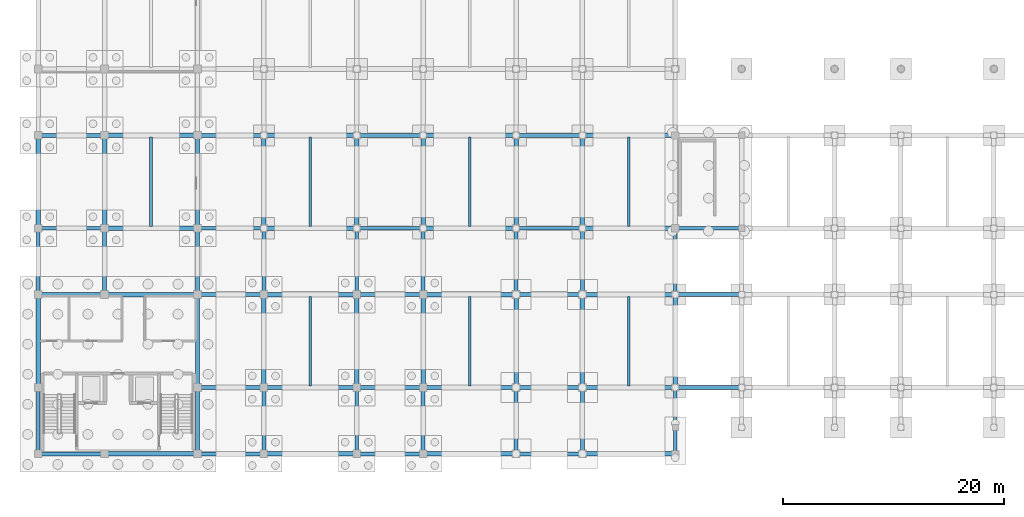
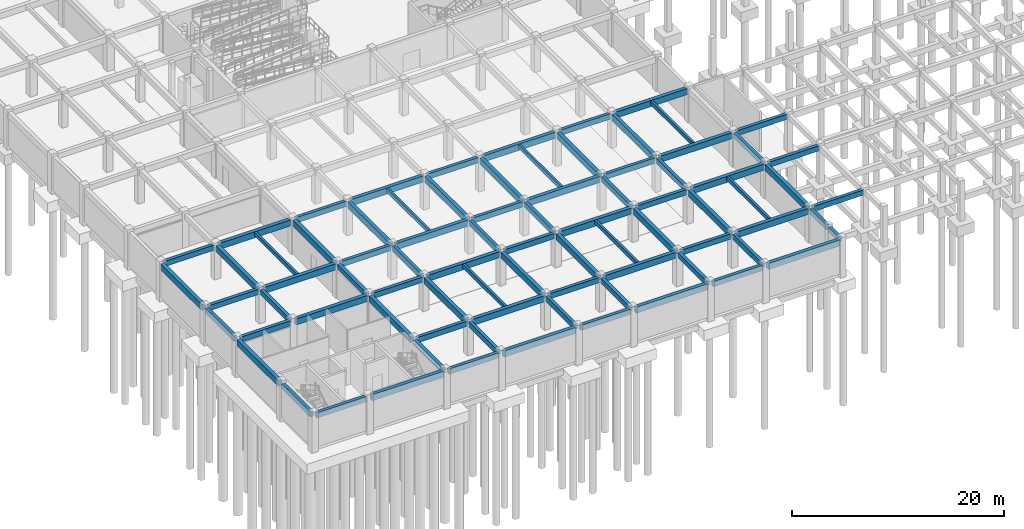
# One storey, part 17 of 40: 82 beams.
"""IFC4 building model written with IfcOpenShell, lengths in metres."""

from ifc_helpers import new_model, si_unit, direction, frame, origin, origin_2d, place, context, subcontext, project, spatial, rectangle, extrude, material, material_profile, profile_set, type_object, element, save


model = new_model("IFC4")

# Units and contexts
model_context = context("Model", 3, precision=1e-05, world=origin(), true_north=direction((0.0, 1.0)))
body_context = subcontext(model_context, "Body", "Model", "MODEL_VIEW")
ifc_project = project(units=[si_unit("LENGTHUNIT", "METRE"), si_unit("AREAUNIT", "SQUARE_METRE"), si_unit("VOLUMEUNIT", "CUBIC_METRE"), si_unit("PLANEANGLEUNIT", "RADIAN"), si_unit("MASSUNIT", "GRAM", prefix="KILO"), si_unit("THERMODYNAMICTEMPERATUREUNIT", "KELVIN")], contexts=[model_context])

# Site, building, storey
site_placement = place(None, origin())
site = spatial("IfcSite", under=ifc_project, at=site_placement, CompositionType="ELEMENT")
building_placement = place(site_placement, origin())
building = spatial("IfcBuilding", under=site, at=building_placement, Name="Thalorik Housing Commons", CompositionType="ELEMENT")
storey_placement = place(building_placement, frame((0.0, 0.0, -4.199951171875)))
storey = spatial("IfcBuildingStorey", under=building, at=storey_placement, Name="B1", CompositionType="ELEMENT", Elevation=-4.199951171875)

# Beams
ifc_material = material(Name="Precast concrete C40/50", Category="concrete")
ifc_material_profile_1 = material_profile(ifc_material, rectangle(XDim=0.35009765625, YDim=0.60009765625, at=origin_2d()), Name="PC 350x600", Category="concrete")
ifc_profile_set_1 = profile_set([ifc_material_profile_1], Name="Precast concrete C40/50")
beam_type_1 = type_object("IfcBeamType", Name="STR-BM-PC350x600", PredefinedType="BEAM", material=ifc_profile_set_1)
beam_1_placement = place(storey_placement, frame((8.699951171875, 8.39990234375, 3.599853515625), z_axis=(1.0, 0.0, 0.0), x_axis=(0.0, 1.0, 0.0)))
element("IfcBeam", 1, at=beam_1_placement, inside=storey, type_object=beam_type_1, Name="B1 Beam B-600", PredefinedType="BEAM", context=body_context, shape_type="SweptSolid", body=[
    extrude(rectangle(XDim=0.35009765625, YDim=0.60009765625, at=origin_2d()), origin(), (0.0, 0.0, 1.0), 5.400146484375),
])
for number, where, z_axis, x_axis, name in (
    (2, (23.10009765625, 8.39990234375, 3.599853515625), (1.0, 0.0, 0.0), (0.0, 1.0, 0.0), "B1 Beam B-600"),
    (3, (37.5, 8.39990234375, 3.599853515625), (1.0, 0.0, 0.0), (0.0, 1.0, 0.0), "B1 Beam B-600"),
):
    element("IfcBeam", number, at=place(storey_placement, frame(where, z_axis=z_axis, x_axis=x_axis)), inside=storey, type_object=beam_type_1, Name=name, PredefinedType="BEAM", context=body_context, shape_type="SweptSolid", body=[
        extrude(rectangle(XDim=0.35009765625, YDim=0.60009765625, at=origin_2d()), origin(), (0.0, 0.0, 1.0), 5.39990234375),
    ])
beam_2_placement = place(storey_placement, frame((51.89990234375, 8.39990234375, 3.599853515625), z_axis=(1.0, 0.0, 0.0), x_axis=(0.0, 1.0, 0.0)))
element("IfcBeam", 4, at=beam_2_placement, inside=storey, type_object=beam_type_1, Name="B1 Beam B-600", PredefinedType="BEAM", context=body_context, shape_type="SweptSolid", body=[
    extrude(rectangle(XDim=0.35009765625, YDim=0.60009765625, at=origin_2d()), origin(), (0.0, 0.0, 1.0), 5.400146484375),
])
for number, where, z_axis, x_axis, name in (
    (5, (23.10009765625, 14.39990234375, 3.599853515625), (1.0, 0.0, 0.0), (0.0, 1.0, 0.0), "B1 Beam B-600"),
    (6, (37.5, 14.39990234375, 3.599853515625), (1.0, 0.0, 0.0), (0.0, 1.0, 0.0), "B1 Beam B-600"),
):
    element("IfcBeam", number, at=place(storey_placement, frame(where, z_axis=z_axis, x_axis=x_axis)), inside=storey, type_object=beam_type_1, Name=name, PredefinedType="BEAM", context=body_context, shape_type="SweptSolid", body=[
        extrude(rectangle(XDim=0.35009765625, YDim=0.60009765625, at=origin_2d()), origin(), (0.0, 0.0, 1.0), 5.39990234375),
    ])
beam_3_placement = place(storey_placement, frame((51.89990234375, 14.39990234375, 3.599853515625), z_axis=(1.0, 0.0, 0.0), x_axis=(0.0, 1.0, 0.0)))
element("IfcBeam", 7, at=beam_3_placement, inside=storey, type_object=beam_type_1, Name="B1 Beam B-600", PredefinedType="BEAM", context=body_context, shape_type="SweptSolid", body=[
    extrude(rectangle(XDim=0.35009765625, YDim=0.60009765625, at=origin_2d()), origin(), (0.0, 0.0, 1.0), 5.400146484375),
])
beam_4_placement = place(storey_placement, frame((66.27490234375, 14.39990234375, 3.599853515625), z_axis=(1.0, 0.0, 0.0), x_axis=(0.0, 1.0, 0.0)))
element("IfcBeam", 8, at=beam_4_placement, inside=storey, type_object=beam_type_1, Name="B1 Beam B-600", PredefinedType="BEAM", context=body_context, shape_type="SweptSolid", body=[
    extrude(rectangle(XDim=0.35009765625, YDim=0.60009765625, at=origin_2d()), origin(), (0.0, 0.0, 1.0), 5.47509765625),
])
beam_5_placement = place(storey_placement, frame((8.699951171875, 22.800048828125, 3.599853515625), z_axis=(1.0, 0.0, 0.0), x_axis=(0.0, 1.0, 0.0)))
element("IfcBeam", 9, at=beam_5_placement, inside=storey, type_object=beam_type_1, Name="B1 Beam B-600", PredefinedType="BEAM", context=body_context, shape_type="SweptSolid", body=[
    extrude(rectangle(XDim=0.35009765625, YDim=0.60009765625, at=origin_2d()), origin(), (0.0, 0.0, 1.0), 5.400146484375),
])
for number, where, z_axis, x_axis, name in (
    (10, (23.10009765625, 22.800048828125, 3.599853515625), (1.0, 0.0, 0.0), (0.0, 1.0, 0.0), "B1 Beam B-600"),
    (11, (37.5, 22.800048828125, 3.599853515625), (1.0, 0.0, 0.0), (0.0, 1.0, 0.0), "B1 Beam B-600"),
):
    element("IfcBeam", number, at=place(storey_placement, frame(where, z_axis=z_axis, x_axis=x_axis)), inside=storey, type_object=beam_type_1, Name=name, PredefinedType="BEAM", context=body_context, shape_type="SweptSolid", body=[
        extrude(rectangle(XDim=0.35009765625, YDim=0.60009765625, at=origin_2d()), origin(), (0.0, 0.0, 1.0), 5.39990234375),
    ])
beam_6_placement = place(storey_placement, frame((51.89990234375, 22.800048828125, 3.599853515625), z_axis=(1.0, 0.0, 0.0), x_axis=(0.0, 1.0, 0.0)))
element("IfcBeam", 12, at=beam_6_placement, inside=storey, type_object=beam_type_1, Name="B1 Beam B-600", PredefinedType="BEAM", context=body_context, shape_type="SweptSolid", body=[
    extrude(rectangle(XDim=0.35009765625, YDim=0.60009765625, at=origin_2d()), origin(), (0.0, 0.0, 1.0), 5.400146484375),
])
beam_7_placement = place(storey_placement, frame((66.27490234375, 22.800048828125, 3.599853515625), z_axis=(1.0, 0.0, 0.0), x_axis=(0.0, 1.0, 0.0)))
element("IfcBeam", 13, at=beam_7_placement, inside=storey, type_object=beam_type_1, Name="B1 Beam B-600", PredefinedType="BEAM", context=body_context, shape_type="SweptSolid", body=[
    extrude(rectangle(XDim=0.35009765625, YDim=0.60009765625, at=origin_2d()), origin(), (0.0, 0.0, 1.0), 5.47509765625),
])
beam_8_placement = place(storey_placement, frame((8.699951171875, 28.800048828125, 3.599853515625), z_axis=(1.0, 0.0, 0.0), x_axis=(0.0, 1.0, 0.0)))
element("IfcBeam", 14, at=beam_8_placement, inside=storey, type_object=beam_type_1, Name="B1 Beam B-600", PredefinedType="BEAM", context=body_context, shape_type="SweptSolid", body=[
    extrude(rectangle(XDim=0.35009765625, YDim=0.60009765625, at=origin_2d()), origin(), (0.0, 0.0, 1.0), 5.400146484375),
])
beam_9_placement = place(storey_placement, frame((23.10009765625, 28.800048828125, 3.599853515625), z_axis=(1.0, 0.0, 0.0), x_axis=(0.0, 1.0, 0.0)))
element("IfcBeam", 15, at=beam_9_placement, inside=storey, type_object=beam_type_1, Name="B1 Beam B-600", PredefinedType="BEAM", context=body_context, shape_type="SweptSolid", body=[
    extrude(rectangle(XDim=0.35009765625, YDim=0.60009765625, at=origin_2d()), origin(), (0.0, 0.0, 1.0), 5.4248046875),
])
for number, where, z_axis, x_axis, name in (
    (16, (37.47509765625, 28.800048828125, 3.599853515625), (1.0, 0.0, 0.0), (0.0, 1.0, 0.0), "B1 Beam B-600"),
    (17, (51.875, 28.800048828125, 3.599853515625), (1.0, 0.0, 0.0), (0.0, 1.0, 0.0), "B1 Beam B-600"),
):
    element("IfcBeam", number, at=place(storey_placement, frame(where, z_axis=z_axis, x_axis=x_axis)), inside=storey, type_object=beam_type_1, Name=name, PredefinedType="BEAM", context=body_context, shape_type="SweptSolid", body=[
        extrude(rectangle(XDim=0.35009765625, YDim=0.60009765625, at=origin_2d()), origin(), (0.0, 0.0, 1.0), 5.449951171875),
    ])
beam_10_placement = place(storey_placement, frame((66.27490234375, 28.800048828125, 3.599853515625), z_axis=(1.0, 0.0, 0.0), x_axis=(0.0, 1.0, 0.0)))
element("IfcBeam", 18, at=beam_10_placement, inside=storey, type_object=beam_type_1, Name="B1 Beam B-600", PredefinedType="BEAM", context=body_context, shape_type="SweptSolid", body=[
    extrude(rectangle(XDim=0.35009765625, YDim=0.60009765625, at=origin_2d()), origin(), (0.0, 0.0, 1.0), 5.47509765625),
])
beam_11_placement = place(storey_placement, frame((8.699951171875, 37.199951171875, 3.599853515625), z_axis=(1.0, 0.0, 0.0), x_axis=(0.0, 1.0, 0.0)))
element("IfcBeam", 19, at=beam_11_placement, inside=storey, type_object=beam_type_1, Name="B1 Beam B-600", PredefinedType="BEAM", context=body_context, shape_type="SweptSolid", body=[
    extrude(rectangle(XDim=0.35009765625, YDim=0.60009765625, at=origin_2d()), origin(), (0.0, 0.0, 1.0), 5.400146484375),
])
beam_12_placement = place(storey_placement, frame((23.10009765625, 37.199951171875, 3.599853515625), z_axis=(1.0, 0.0, 0.0), x_axis=(0.0, 1.0, 0.0)))
element("IfcBeam", 20, at=beam_12_placement, inside=storey, type_object=beam_type_1, Name="B1 Beam B-600", PredefinedType="BEAM", context=body_context, shape_type="SweptSolid", body=[
    extrude(rectangle(XDim=0.35009765625, YDim=0.60009765625, at=origin_2d()), origin(), (0.0, 0.0, 1.0), 5.4248046875),
])
for number, where, z_axis, x_axis, name in (
    (21, (37.47509765625, 37.199951171875, 3.599853515625), (1.0, 0.0, 0.0), (0.0, 1.0, 0.0), "B1 Beam B-600"),
    (22, (51.875, 37.199951171875, 3.599853515625), (1.0, 0.0, 0.0), (0.0, 1.0, 0.0), "B1 Beam B-600"),
):
    element("IfcBeam", number, at=place(storey_placement, frame(where, z_axis=z_axis, x_axis=x_axis)), inside=storey, type_object=beam_type_1, Name=name, PredefinedType="BEAM", context=body_context, shape_type="SweptSolid", body=[
        extrude(rectangle(XDim=0.35009765625, YDim=0.60009765625, at=origin_2d()), origin(), (0.0, 0.0, 1.0), 5.449951171875),
    ])
beam_13_placement = place(storey_placement, frame((8.39990234375, 8.699951171875, 3.599853515625), z_axis=(0.0, 1.0, 0.0), x_axis=(-1.0, 0.0, 0.0)))
element("IfcBeam", 23, at=beam_13_placement, inside=storey, type_object=beam_type_1, Name="B1 Beam B-600", PredefinedType="BEAM", context=body_context, shape_type="SweptSolid", body=[
    extrude(rectangle(XDim=0.35009765625, YDim=0.60009765625, at=origin_2d()), origin(), (0.0, 0.0, 1.0), 5.400146484375),
])
for number, where, z_axis, x_axis, name in (
    (24, (8.39990234375, 23.10009765625, 3.599853515625), (0.0, 1.0, 0.0), (-1.0, 0.0, 0.0), "B1 Beam B-600"),
    (25, (14.39990234375, 23.10009765625, 3.599853515625), (0.0, 1.0, 0.0), (-1.0, 0.0, 0.0), "B1 Beam B-600"),
):
    element("IfcBeam", number, at=place(storey_placement, frame(where, z_axis=z_axis, x_axis=x_axis)), inside=storey, type_object=beam_type_1, Name=name, PredefinedType="BEAM", context=body_context, shape_type="SweptSolid", body=[
        extrude(rectangle(XDim=0.35009765625, YDim=0.60009765625, at=origin_2d()), origin(), (0.0, 0.0, 1.0), 5.39990234375),
    ])
beam_14_placement = place(storey_placement, frame((22.800048828125, 8.699951171875, 3.599853515625), z_axis=(0.0, 1.0, 0.0), x_axis=(-1.0, 0.0, 0.0)))
element("IfcBeam", 26, at=beam_14_placement, inside=storey, type_object=beam_type_1, Name="B1 Beam B-600", PredefinedType="BEAM", context=body_context, shape_type="SweptSolid", body=[
    extrude(rectangle(XDim=0.35009765625, YDim=0.60009765625, at=origin_2d()), origin(), (0.0, 0.0, 1.0), 5.400146484375),
])
beam_15_placement = place(storey_placement, frame((22.800048828125, 23.10009765625, 3.599853515625), z_axis=(0.0, 1.0, 0.0), x_axis=(-1.0, 0.0, 0.0)))
element("IfcBeam", 27, at=beam_15_placement, inside=storey, type_object=beam_type_1, Name="B1 Beam B-600", PredefinedType="BEAM", context=body_context, shape_type="SweptSolid", body=[
    extrude(rectangle(XDim=0.35009765625, YDim=0.60009765625, at=origin_2d()), origin(), (0.0, 0.0, 1.0), 5.39990234375),
])
beam_16_placement = place(storey_placement, frame((28.800048828125, 8.699951171875, 3.599853515625), z_axis=(0.0, 1.0, 0.0), x_axis=(-1.0, 0.0, 0.0)))
element("IfcBeam", 28, at=beam_16_placement, inside=storey, type_object=beam_type_1, Name="B1 Beam B-600", PredefinedType="BEAM", context=body_context, shape_type="SweptSolid", body=[
    extrude(rectangle(XDim=0.35009765625, YDim=0.60009765625, at=origin_2d()), origin(), (0.0, 0.0, 1.0), 5.400146484375),
])
beam_17_placement = place(storey_placement, frame((28.800048828125, 23.10009765625, 3.599853515625), z_axis=(0.0, 1.0, 0.0), x_axis=(-1.0, 0.0, 0.0)))
element("IfcBeam", 29, at=beam_17_placement, inside=storey, type_object=beam_type_1, Name="B1 Beam B-600", PredefinedType="BEAM", context=body_context, shape_type="SweptSolid", body=[
    extrude(rectangle(XDim=0.35009765625, YDim=0.60009765625, at=origin_2d()), origin(), (0.0, 0.0, 1.0), 5.4248046875),
])
beam_18_placement = place(storey_placement, frame((37.199951171875, 8.699951171875, 3.599853515625), z_axis=(0.0, 1.0, 0.0), x_axis=(-1.0, 0.0, 0.0)))
element("IfcBeam", 30, at=beam_18_placement, inside=storey, type_object=beam_type_1, Name="B1 Beam B-600", PredefinedType="BEAM", context=body_context, shape_type="SweptSolid", body=[
    extrude(rectangle(XDim=0.35009765625, YDim=0.60009765625, at=origin_2d()), origin(), (0.0, 0.0, 1.0), 5.400146484375),
])
beam_19_placement = place(storey_placement, frame((37.199951171875, 23.10009765625, 3.599853515625), z_axis=(0.0, 1.0, 0.0), x_axis=(-1.0, 0.0, 0.0)))
element("IfcBeam", 31, at=beam_19_placement, inside=storey, type_object=beam_type_1, Name="B1 Beam B-600", PredefinedType="BEAM", context=body_context, shape_type="SweptSolid", body=[
    extrude(rectangle(XDim=0.35009765625, YDim=0.60009765625, at=origin_2d()), origin(), (0.0, 0.0, 1.0), 5.4248046875),
])
beam_20_placement = place(storey_placement, frame((43.199951171875, 8.699951171875, 3.599853515625), z_axis=(0.0, 1.0, 0.0), x_axis=(-1.0, 0.0, 0.0)))
element("IfcBeam", 32, at=beam_20_placement, inside=storey, type_object=beam_type_1, Name="B1 Beam B-600", PredefinedType="BEAM", context=body_context, shape_type="SweptSolid", body=[
    extrude(rectangle(XDim=0.35009765625, YDim=0.60009765625, at=origin_2d()), origin(), (0.0, 0.0, 1.0), 5.400146484375),
])
beam_21_placement = place(storey_placement, frame((43.199951171875, 23.10009765625, 3.599853515625), z_axis=(0.0, 1.0, 0.0), x_axis=(-1.0, 0.0, 0.0)))
element("IfcBeam", 33, at=beam_21_placement, inside=storey, type_object=beam_type_1, Name="B1 Beam B-600", PredefinedType="BEAM", context=body_context, shape_type="SweptSolid", body=[
    extrude(rectangle(XDim=0.35009765625, YDim=0.60009765625, at=origin_2d()), origin(), (0.0, 0.0, 1.0), 5.4248046875),
])
beam_22_placement = place(storey_placement, frame((51.60009765625, 8.699951171875, 3.599853515625), z_axis=(0.0, 1.0, 0.0), x_axis=(-1.0, 0.0, 0.0)))
element("IfcBeam", 34, at=beam_22_placement, inside=storey, type_object=beam_type_1, Name="B1 Beam B-600", PredefinedType="BEAM", context=body_context, shape_type="SweptSolid", body=[
    extrude(rectangle(XDim=0.35009765625, YDim=0.60009765625, at=origin_2d()), origin(), (0.0, 0.0, 1.0), 5.400146484375),
])
beam_23_placement = place(storey_placement, frame((51.60009765625, 23.10009765625, 3.599853515625), z_axis=(0.0, 1.0, 0.0), x_axis=(-1.0, 0.0, 0.0)))
element("IfcBeam", 35, at=beam_23_placement, inside=storey, type_object=beam_type_1, Name="B1 Beam B-600", PredefinedType="BEAM", context=body_context, shape_type="SweptSolid", body=[
    extrude(rectangle(XDim=0.35009765625, YDim=0.60009765625, at=origin_2d()), origin(), (0.0, 0.0, 1.0), 5.4248046875),
])
beam_24_placement = place(storey_placement, frame((57.60009765625, 8.699951171875, 3.599853515625), z_axis=(0.0, 1.0, 0.0), x_axis=(-1.0, 0.0, 0.0)))
element("IfcBeam", 36, at=beam_24_placement, inside=storey, type_object=beam_type_1, Name="B1 Beam B-600", PredefinedType="BEAM", context=body_context, shape_type="SweptSolid", body=[
    extrude(rectangle(XDim=0.35009765625, YDim=0.60009765625, at=origin_2d()), origin(), (0.0, 0.0, 1.0), 5.400146484375),
])
beam_25_placement = place(storey_placement, frame((57.60009765625, 23.10009765625, 3.599853515625), z_axis=(0.0, 1.0, 0.0), x_axis=(-1.0, 0.0, 0.0)))
element("IfcBeam", 37, at=beam_25_placement, inside=storey, type_object=beam_type_1, Name="B1 Beam B-600", PredefinedType="BEAM", context=body_context, shape_type="SweptSolid", body=[
    extrude(rectangle(XDim=0.35009765625, YDim=0.60009765625, at=origin_2d()), origin(), (0.0, 0.0, 1.0), 5.4248046875),
])
beam_26_placement = place(storey_placement, frame((66.0, 8.675048828125, 3.599853515625), z_axis=(0.0, 1.0, 0.0), x_axis=(-1.0, 0.0, 0.0)))
element("IfcBeam", 38, at=beam_26_placement, inside=storey, type_object=beam_type_1, Name="B1 Beam B-600", PredefinedType="BEAM", context=body_context, shape_type="SweptSolid", body=[
    extrude(rectangle(XDim=0.35009765625, YDim=0.60009765625, at=origin_2d()), origin(), (0.0, 0.0, 1.0), 1.89990234375),
])
beam_27_placement = place(storey_placement, frame((66.0, 11.02490234375, 3.599853515625), z_axis=(0.0, 1.0, 0.0), x_axis=(-1.0, 0.0, 0.0)))
element("IfcBeam", 39, at=beam_27_placement, inside=storey, type_object=beam_type_1, Name="B1 Beam B-600", PredefinedType="BEAM", context=body_context, shape_type="SweptSolid", body=[
    extrude(rectangle(XDim=0.35009765625, YDim=0.60009765625, at=origin_2d()), origin(), (0.0, 0.0, 1.0), 3.10009765625),
])
beam_28_placement = place(storey_placement, frame((66.0, 23.074951171875, 3.599853515625), z_axis=(0.0, 1.0, 0.0), x_axis=(-1.0, 0.0, 0.0)))
element("IfcBeam", 40, at=beam_28_placement, inside=storey, type_object=beam_type_1, Name="B1 Beam B-600", PredefinedType="BEAM", context=body_context, shape_type="SweptSolid", body=[
    extrude(rectangle(XDim=0.35009765625, YDim=0.60009765625, at=origin_2d()), origin(), (0.0, 0.0, 1.0), 5.449951171875),
])
ifc_material_profile_2 = material_profile(ifc_material, rectangle(XDim=0.39990234375, YDim=0.699951171875, at=origin_2d()), Name="PC 400x700", Category="concrete")
ifc_profile_set_2 = profile_set([ifc_material_profile_2], Name="Precast concrete C40/50")
beam_type_2 = type_object("IfcBeamType", Name="STR-BM-PC400x700", PredefinedType="BEAM", material=ifc_profile_set_2)
beam_29_placement = place(storey_placement, frame((14.699951171875, 8.39990234375, 3.550048828125), z_axis=(1.0, 0.0, 0.0), x_axis=(0.0, 1.0, 0.0)))
element("IfcBeam", 41, at=beam_29_placement, inside=storey, type_object=beam_type_2, Name="B1 Beam B-700", PredefinedType="BEAM", context=body_context, shape_type="SweptSolid", body=[
    extrude(rectangle(XDim=0.39990234375, YDim=0.699951171875, at=origin_2d()), origin(), (0.0, 0.0, 1.0), 7.800048828125),
])
beam_30_placement = place(storey_placement, frame((29.10009765625, 8.39990234375, 3.550048828125), z_axis=(1.0, 0.0, 0.0), x_axis=(0.0, 1.0, 0.0)))
element("IfcBeam", 42, at=beam_30_placement, inside=storey, type_object=beam_type_2, Name="B1 Beam B-700", PredefinedType="BEAM", context=body_context, shape_type="SweptSolid", body=[
    extrude(rectangle(XDim=0.39990234375, YDim=0.699951171875, at=origin_2d()), origin(), (0.0, 0.0, 1.0), 7.7998046875),
])
beam_31_placement = place(storey_placement, frame((43.5, 8.39990234375, 3.550048828125), z_axis=(1.0, 0.0, 0.0), x_axis=(0.0, 1.0, 0.0)))
element("IfcBeam", 43, at=beam_31_placement, inside=storey, type_object=beam_type_2, Name="B1 Beam B-700", PredefinedType="BEAM", context=body_context, shape_type="SweptSolid", body=[
    extrude(rectangle(XDim=0.39990234375, YDim=0.699951171875, at=origin_2d()), origin(), (0.0, 0.0, 1.0), 7.800048828125),
])
beam_32_placement = place(storey_placement, frame((57.89990234375, 8.39990234375, 3.550048828125), z_axis=(1.0, 0.0, 0.0), x_axis=(0.0, 1.0, 0.0)))
element("IfcBeam", 44, at=beam_32_placement, inside=storey, type_object=beam_type_2, Name="B1 Beam B-700", PredefinedType="BEAM", context=body_context, shape_type="SweptSolid", body=[
    extrude(rectangle(XDim=0.39990234375, YDim=0.699951171875, at=origin_2d()), origin(), (0.0, 0.0, 1.0), 7.8251953125),
])
beam_33_placement = place(storey_placement, frame((29.10009765625, 14.39990234375, 3.550048828125), z_axis=(1.0, 0.0, 0.0), x_axis=(0.0, 1.0, 0.0)))
element("IfcBeam", 45, at=beam_33_placement, inside=storey, type_object=beam_type_2, Name="B1 Beam B-700", PredefinedType="BEAM", context=body_context, shape_type="SweptSolid", body=[
    extrude(rectangle(XDim=0.39990234375, YDim=0.699951171875, at=origin_2d()), origin(), (0.0, 0.0, 1.0), 7.7998046875),
])
beam_34_placement = place(storey_placement, frame((43.5, 14.39990234375, 3.550048828125), z_axis=(1.0, 0.0, 0.0), x_axis=(0.0, 1.0, 0.0)))
element("IfcBeam", 46, at=beam_34_placement, inside=storey, type_object=beam_type_2, Name="B1 Beam B-700", PredefinedType="BEAM", context=body_context, shape_type="SweptSolid", body=[
    extrude(rectangle(XDim=0.39990234375, YDim=0.699951171875, at=origin_2d()), origin(), (0.0, 0.0, 1.0), 7.800048828125),
])
beam_35_placement = place(storey_placement, frame((57.89990234375, 14.39990234375, 3.550048828125), z_axis=(1.0, 0.0, 0.0), x_axis=(0.0, 1.0, 0.0)))
element("IfcBeam", 47, at=beam_35_placement, inside=storey, type_object=beam_type_2, Name="B1 Beam B-700", PredefinedType="BEAM", context=body_context, shape_type="SweptSolid", body=[
    extrude(rectangle(XDim=0.39990234375, YDim=0.699951171875, at=origin_2d()), origin(), (0.0, 0.0, 1.0), 7.8251953125),
])
beam_36_placement = place(storey_placement, frame((14.699951171875, 22.800048828125, 3.550048828125), z_axis=(1.0, 0.0, 0.0), x_axis=(0.0, 1.0, 0.0)))
element("IfcBeam", 48, at=beam_36_placement, inside=storey, type_object=beam_type_2, Name="B1 Beam B-700", PredefinedType="BEAM", context=body_context, shape_type="SweptSolid", body=[
    extrude(rectangle(XDim=0.39990234375, YDim=0.699951171875, at=origin_2d()), origin(), (0.0, 0.0, 1.0), 7.800048828125),
])
beam_37_placement = place(storey_placement, frame((29.10009765625, 22.800048828125, 3.550048828125), z_axis=(1.0, 0.0, 0.0), x_axis=(0.0, 1.0, 0.0)))
element("IfcBeam", 49, at=beam_37_placement, inside=storey, type_object=beam_type_2, Name="B1 Beam B-700", PredefinedType="BEAM", context=body_context, shape_type="SweptSolid", body=[
    extrude(rectangle(XDim=0.39990234375, YDim=0.699951171875, at=origin_2d()), origin(), (0.0, 0.0, 1.0), 7.7998046875),
])
beam_38_placement = place(storey_placement, frame((43.5, 22.800048828125, 3.550048828125), z_axis=(1.0, 0.0, 0.0), x_axis=(0.0, 1.0, 0.0)))
element("IfcBeam", 50, at=beam_38_placement, inside=storey, type_object=beam_type_2, Name="B1 Beam B-700", PredefinedType="BEAM", context=body_context, shape_type="SweptSolid", body=[
    extrude(rectangle(XDim=0.39990234375, YDim=0.699951171875, at=origin_2d()), origin(), (0.0, 0.0, 1.0), 7.800048828125),
])
beam_39_placement = place(storey_placement, frame((57.89990234375, 22.800048828125, 3.550048828125), z_axis=(1.0, 0.0, 0.0), x_axis=(0.0, 1.0, 0.0)))
element("IfcBeam", 51, at=beam_39_placement, inside=storey, type_object=beam_type_2, Name="B1 Beam B-700", PredefinedType="BEAM", context=body_context, shape_type="SweptSolid", body=[
    extrude(rectangle(XDim=0.39990234375, YDim=0.699951171875, at=origin_2d()), origin(), (0.0, 0.0, 1.0), 7.8251953125),
])
beam_40_placement = place(storey_placement, frame((14.699951171875, 28.800048828125, 3.550048828125), z_axis=(1.0, 0.0, 0.0), x_axis=(0.0, 1.0, 0.0)))
element("IfcBeam", 52, at=beam_40_placement, inside=storey, type_object=beam_type_2, Name="B1 Beam B-700", PredefinedType="BEAM", context=body_context, shape_type="SweptSolid", body=[
    extrude(rectangle(XDim=0.39990234375, YDim=0.699951171875, at=origin_2d()), origin(), (0.0, 0.0, 1.0), 7.800048828125),
])
beam_41_placement = place(storey_placement, frame((29.074951171875, 28.800048828125, 3.550048828125), z_axis=(1.0, 0.0, 0.0), x_axis=(0.0, 1.0, 0.0)))
element("IfcBeam", 53, at=beam_41_placement, inside=storey, type_object=beam_type_2, Name="B1 Beam B-700", PredefinedType="BEAM", context=body_context, shape_type="SweptSolid", body=[
    extrude(rectangle(XDim=0.39990234375, YDim=0.699951171875, at=origin_2d()), origin(), (0.0, 0.0, 1.0), 7.85009765625),
])
beam_42_placement = place(storey_placement, frame((43.47509765625, 28.800048828125, 3.550048828125), z_axis=(1.0, 0.0, 0.0), x_axis=(0.0, 1.0, 0.0)))
element("IfcBeam", 54, at=beam_42_placement, inside=storey, type_object=beam_type_2, Name="B1 Beam B-700", PredefinedType="BEAM", context=body_context, shape_type="SweptSolid", body=[
    extrude(rectangle(XDim=0.39990234375, YDim=0.699951171875, at=origin_2d()), origin(), (0.0, 0.0, 1.0), 7.849853515625),
])
beam_43_placement = place(storey_placement, frame((57.875, 28.800048828125, 3.550048828125), z_axis=(1.0, 0.0, 0.0), x_axis=(0.0, 1.0, 0.0)))
element("IfcBeam", 55, at=beam_43_placement, inside=storey, type_object=beam_type_2, Name="B1 Beam B-700", PredefinedType="BEAM", context=body_context, shape_type="SweptSolid", body=[
    extrude(rectangle(XDim=0.39990234375, YDim=0.699951171875, at=origin_2d()), origin(), (0.0, 0.0, 1.0), 7.85009765625),
])
beam_44_placement = place(storey_placement, frame((14.699951171875, 37.199951171875, 3.550048828125), z_axis=(1.0, 0.0, 0.0), x_axis=(0.0, 1.0, 0.0)))
element("IfcBeam", 56, at=beam_44_placement, inside=storey, type_object=beam_type_2, Name="B1 Beam B-700", PredefinedType="BEAM", context=body_context, shape_type="SweptSolid", body=[
    extrude(rectangle(XDim=0.39990234375, YDim=0.699951171875, at=origin_2d()), origin(), (0.0, 0.0, 1.0), 7.800048828125),
])
beam_45_placement = place(storey_placement, frame((29.074951171875, 37.199951171875, 3.550048828125), z_axis=(1.0, 0.0, 0.0), x_axis=(0.0, 1.0, 0.0)))
element("IfcBeam", 57, at=beam_45_placement, inside=storey, type_object=beam_type_2, Name="B1 Beam B-700", PredefinedType="BEAM", context=body_context, shape_type="SweptSolid", body=[
    extrude(rectangle(XDim=0.39990234375, YDim=0.699951171875, at=origin_2d()), origin(), (0.0, 0.0, 1.0), 7.85009765625),
])
beam_46_placement = place(storey_placement, frame((43.47509765625, 37.199951171875, 3.550048828125), z_axis=(1.0, 0.0, 0.0), x_axis=(0.0, 1.0, 0.0)))
element("IfcBeam", 58, at=beam_46_placement, inside=storey, type_object=beam_type_2, Name="B1 Beam B-700", PredefinedType="BEAM", context=body_context, shape_type="SweptSolid", body=[
    extrude(rectangle(XDim=0.39990234375, YDim=0.699951171875, at=origin_2d()), origin(), (0.0, 0.0, 1.0), 7.849853515625),
])
beam_47_placement = place(storey_placement, frame((57.875, 37.199951171875, 3.550048828125), z_axis=(1.0, 0.0, 0.0), x_axis=(0.0, 1.0, 0.0)))
element("IfcBeam", 59, at=beam_47_placement, inside=storey, type_object=beam_type_2, Name="B1 Beam B-700", PredefinedType="BEAM", context=body_context, shape_type="SweptSolid", body=[
    extrude(rectangle(XDim=0.39990234375, YDim=0.699951171875, at=origin_2d()), origin(), (0.0, 0.0, 1.0), 7.85009765625),
])
beam_48_placement = place(storey_placement, frame((8.39990234375, 14.699951171875, 3.550048828125), z_axis=(0.0, 1.0, 0.0), x_axis=(-1.0, 0.0, 0.0)))
element("IfcBeam", 60, at=beam_48_placement, inside=storey, type_object=beam_type_2, Name="B1 Beam B-700", PredefinedType="BEAM", context=body_context, shape_type="SweptSolid", body=[
    extrude(rectangle(XDim=0.39990234375, YDim=0.699951171875, at=origin_2d()), origin(), (0.0, 0.0, 1.0), 7.800048828125),
])
for number, where, z_axis, x_axis, name in (
    (61, (8.39990234375, 29.10009765625, 3.550048828125), (0.0, 1.0, 0.0), (-1.0, 0.0, 0.0), "B1 Beam B-700"),
    (62, (14.39990234375, 29.10009765625, 3.550048828125), (0.0, 1.0, 0.0), (-1.0, 0.0, 0.0), "B1 Beam B-700"),
):
    element("IfcBeam", number, at=place(storey_placement, frame(where, z_axis=z_axis, x_axis=x_axis)), inside=storey, type_object=beam_type_2, Name=name, PredefinedType="BEAM", context=body_context, shape_type="SweptSolid", body=[
        extrude(rectangle(XDim=0.39990234375, YDim=0.699951171875, at=origin_2d()), origin(), (0.0, 0.0, 1.0), 7.7998046875),
    ])
beam_49_placement = place(storey_placement, frame((22.800048828125, 14.699951171875, 3.550048828125), z_axis=(0.0, 1.0, 0.0), x_axis=(-1.0, 0.0, 0.0)))
element("IfcBeam", 63, at=beam_49_placement, inside=storey, type_object=beam_type_2, Name="B1 Beam B-700", PredefinedType="BEAM", context=body_context, shape_type="SweptSolid", body=[
    extrude(rectangle(XDim=0.39990234375, YDim=0.699951171875, at=origin_2d()), origin(), (0.0, 0.0, 1.0), 7.800048828125),
])
beam_50_placement = place(storey_placement, frame((22.800048828125, 29.10009765625, 3.550048828125), z_axis=(0.0, 1.0, 0.0), x_axis=(-1.0, 0.0, 0.0)))
element("IfcBeam", 64, at=beam_50_placement, inside=storey, type_object=beam_type_2, Name="B1 Beam B-700", PredefinedType="BEAM", context=body_context, shape_type="SweptSolid", body=[
    extrude(rectangle(XDim=0.39990234375, YDim=0.699951171875, at=origin_2d()), origin(), (0.0, 0.0, 1.0), 7.7998046875),
])
beam_51_placement = place(storey_placement, frame((28.800048828125, 14.699951171875, 3.550048828125), z_axis=(0.0, 1.0, 0.0), x_axis=(-1.0, 0.0, 0.0)))
element("IfcBeam", 65, at=beam_51_placement, inside=storey, type_object=beam_type_2, Name="B1 Beam B-700", PredefinedType="BEAM", context=body_context, shape_type="SweptSolid", body=[
    extrude(rectangle(XDim=0.39990234375, YDim=0.699951171875, at=origin_2d()), origin(), (0.0, 0.0, 1.0), 7.800048828125),
])
beam_52_placement = place(storey_placement, frame((28.800048828125, 29.074951171875, 3.550048828125), z_axis=(0.0, 1.0, 0.0), x_axis=(-1.0, 0.0, 0.0)))
element("IfcBeam", 66, at=beam_52_placement, inside=storey, type_object=beam_type_2, Name="B1 Beam B-700", PredefinedType="BEAM", context=body_context, shape_type="SweptSolid", body=[
    extrude(rectangle(XDim=0.39990234375, YDim=0.699951171875, at=origin_2d()), origin(), (0.0, 0.0, 1.0), 7.85009765625),
])
beam_53_placement = place(storey_placement, frame((37.199951171875, 14.699951171875, 3.550048828125), z_axis=(0.0, 1.0, 0.0), x_axis=(-1.0, 0.0, 0.0)))
element("IfcBeam", 67, at=beam_53_placement, inside=storey, type_object=beam_type_2, Name="B1 Beam B-700", PredefinedType="BEAM", context=body_context, shape_type="SweptSolid", body=[
    extrude(rectangle(XDim=0.39990234375, YDim=0.699951171875, at=origin_2d()), origin(), (0.0, 0.0, 1.0), 7.800048828125),
])
beam_54_placement = place(storey_placement, frame((37.199951171875, 29.074951171875, 3.550048828125), z_axis=(0.0, 1.0, 0.0), x_axis=(-1.0, 0.0, 0.0)))
element("IfcBeam", 68, at=beam_54_placement, inside=storey, type_object=beam_type_2, Name="B1 Beam B-700", PredefinedType="BEAM", context=body_context, shape_type="SweptSolid", body=[
    extrude(rectangle(XDim=0.39990234375, YDim=0.699951171875, at=origin_2d()), origin(), (0.0, 0.0, 1.0), 7.85009765625),
])
beam_55_placement = place(storey_placement, frame((43.199951171875, 14.699951171875, 3.550048828125), z_axis=(0.0, 1.0, 0.0), x_axis=(-1.0, 0.0, 0.0)))
element("IfcBeam", 69, at=beam_55_placement, inside=storey, type_object=beam_type_2, Name="B1 Beam B-700", PredefinedType="BEAM", context=body_context, shape_type="SweptSolid", body=[
    extrude(rectangle(XDim=0.39990234375, YDim=0.699951171875, at=origin_2d()), origin(), (0.0, 0.0, 1.0), 7.800048828125),
])
beam_56_placement = place(storey_placement, frame((43.199951171875, 29.074951171875, 3.550048828125), z_axis=(0.0, 1.0, 0.0), x_axis=(-1.0, 0.0, 0.0)))
element("IfcBeam", 70, at=beam_56_placement, inside=storey, type_object=beam_type_2, Name="B1 Beam B-700", PredefinedType="BEAM", context=body_context, shape_type="SweptSolid", body=[
    extrude(rectangle(XDim=0.39990234375, YDim=0.699951171875, at=origin_2d()), origin(), (0.0, 0.0, 1.0), 7.85009765625),
])
beam_57_placement = place(storey_placement, frame((51.60009765625, 14.699951171875, 3.550048828125), z_axis=(0.0, 1.0, 0.0), x_axis=(-1.0, 0.0, 0.0)))
element("IfcBeam", 71, at=beam_57_placement, inside=storey, type_object=beam_type_2, Name="B1 Beam B-700", PredefinedType="BEAM", context=body_context, shape_type="SweptSolid", body=[
    extrude(rectangle(XDim=0.39990234375, YDim=0.699951171875, at=origin_2d()), origin(), (0.0, 0.0, 1.0), 7.800048828125),
])
beam_58_placement = place(storey_placement, frame((51.60009765625, 29.074951171875, 3.550048828125), z_axis=(0.0, 1.0, 0.0), x_axis=(-1.0, 0.0, 0.0)))
element("IfcBeam", 72, at=beam_58_placement, inside=storey, type_object=beam_type_2, Name="B1 Beam B-700", PredefinedType="BEAM", context=body_context, shape_type="SweptSolid", body=[
    extrude(rectangle(XDim=0.39990234375, YDim=0.699951171875, at=origin_2d()), origin(), (0.0, 0.0, 1.0), 7.85009765625),
])
beam_59_placement = place(storey_placement, frame((57.60009765625, 14.699951171875, 3.550048828125), z_axis=(0.0, 1.0, 0.0), x_axis=(-1.0, 0.0, 0.0)))
element("IfcBeam", 73, at=beam_59_placement, inside=storey, type_object=beam_type_2, Name="B1 Beam B-700", PredefinedType="BEAM", context=body_context, shape_type="SweptSolid", body=[
    extrude(rectangle(XDim=0.39990234375, YDim=0.699951171875, at=origin_2d()), origin(), (0.0, 0.0, 1.0), 7.800048828125),
])
beam_60_placement = place(storey_placement, frame((57.60009765625, 29.074951171875, 3.550048828125), z_axis=(0.0, 1.0, 0.0), x_axis=(-1.0, 0.0, 0.0)))
element("IfcBeam", 74, at=beam_60_placement, inside=storey, type_object=beam_type_2, Name="B1 Beam B-700", PredefinedType="BEAM", context=body_context, shape_type="SweptSolid", body=[
    extrude(rectangle(XDim=0.39990234375, YDim=0.699951171875, at=origin_2d()), origin(), (0.0, 0.0, 1.0), 7.85009765625),
])
beam_61_placement = place(storey_placement, frame((66.0, 14.675048828125, 3.550048828125), z_axis=(0.0, 1.0, 0.0), x_axis=(-1.0, 0.0, 0.0)))
element("IfcBeam", 75, at=beam_61_placement, inside=storey, type_object=beam_type_2, Name="B1 Beam B-700", PredefinedType="BEAM", context=body_context, shape_type="SweptSolid", body=[
    extrude(rectangle(XDim=0.39990234375, YDim=0.699951171875, at=origin_2d()), origin(), (0.0, 0.0, 1.0), 7.849853515625),
])
ifc_material_profile_3 = material_profile(ifc_material, rectangle(XDim=0.239990234375, YDim=0.43994140625, at=origin_2d()), Name="PC JST 240x440", Category="concrete")
ifc_profile_set_3 = profile_set([ifc_material_profile_3], Name="Precast concrete C40/50")
beam_type_3 = type_object("IfcBeamType", Name="STR-JST-PC240x440", PredefinedType="JOIST", material=ifc_profile_set_3)
for number, where, z_axis, x_axis, name in (
    (76, (33.0, 14.550048828125, 3.679931640625), (0.0, 1.0, 0.0), (-1.0, 0.0, 0.0), "B1 Beam J-440"),
    (77, (47.39990234375, 14.550048828125, 3.679931640625), (0.0, 1.0, 0.0), (-1.0, 0.0, 0.0), "B1 Beam J-440"),
    (78, (61.800048828125, 14.550048828125, 3.679931640625), (0.0, 1.0, 0.0), (-1.0, 0.0, 0.0), "B1 Beam J-440"),
):
    element("IfcBeam", number, at=place(storey_placement, frame(where, z_axis=z_axis, x_axis=x_axis)), inside=storey, type_object=beam_type_3, Name=name, PredefinedType="JOIST", context=body_context, shape_type="SweptSolid", body=[
        extrude(rectangle(XDim=0.239990234375, YDim=0.43994140625, at=origin_2d()), origin(), (0.0, 0.0, 1.0), 8.099853515625),
    ])
for number, where, z_axis, x_axis, name in (
    (79, (18.60009765625, 28.949951171875, 3.679931640625), (0.0, 1.0, 0.0), (-1.0, 0.0, 0.0), "B1 Beam J-440"),
    (80, (33.0, 28.949951171875, 3.679931640625), (0.0, 1.0, 0.0), (-1.0, 0.0, 0.0), "B1 Beam J-440"),
    (81, (47.39990234375, 28.949951171875, 3.679931640625), (0.0, 1.0, 0.0), (-1.0, 0.0, 0.0), "B1 Beam J-440"),
    (82, (61.800048828125, 28.949951171875, 3.679931640625), (0.0, 1.0, 0.0), (-1.0, 0.0, 0.0), "B1 Beam J-440"),
):
    element("IfcBeam", number, at=place(storey_placement, frame(where, z_axis=z_axis, x_axis=x_axis)), inside=storey, type_object=beam_type_3, Name=name, PredefinedType="JOIST", context=body_context, shape_type="SweptSolid", body=[
        extrude(rectangle(XDim=0.239990234375, YDim=0.43994140625, at=origin_2d()), origin(), (0.0, 0.0, 1.0), 8.10009765625),
    ])

save(model, "model.ifc")
